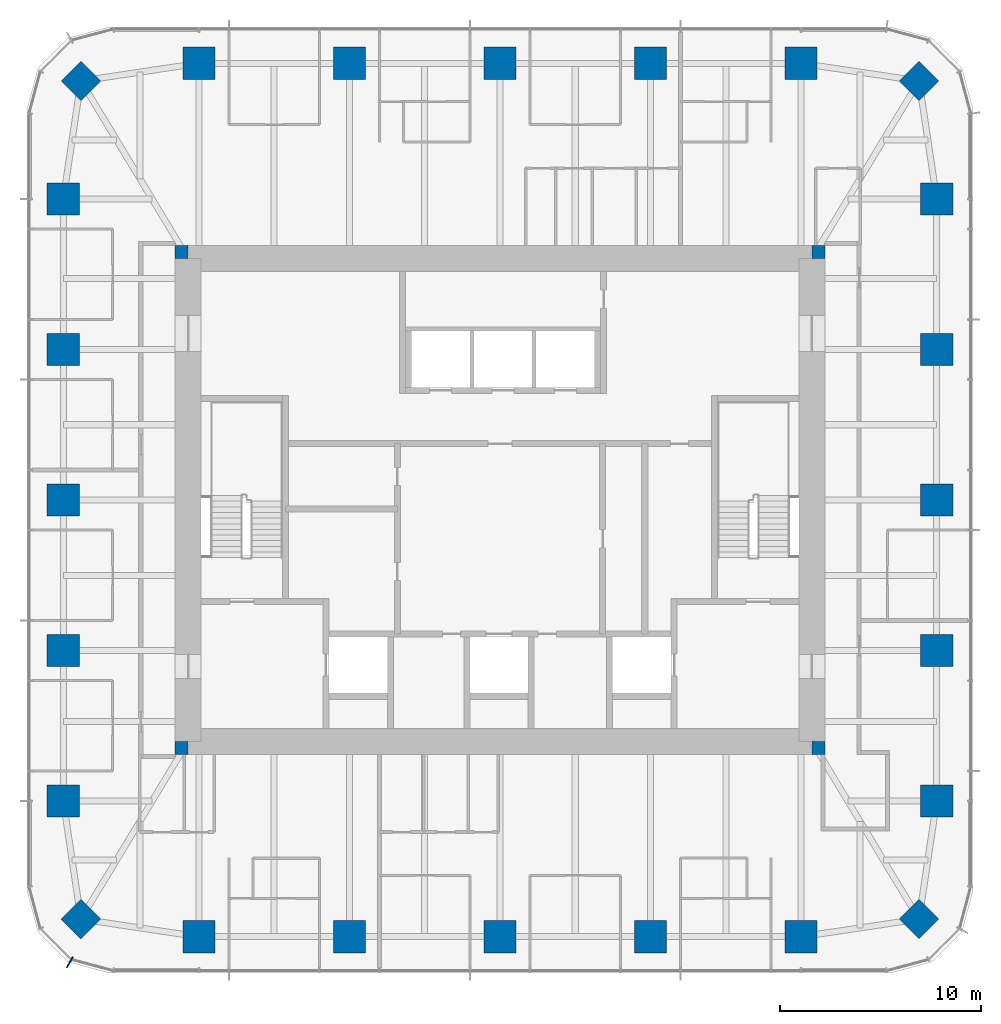
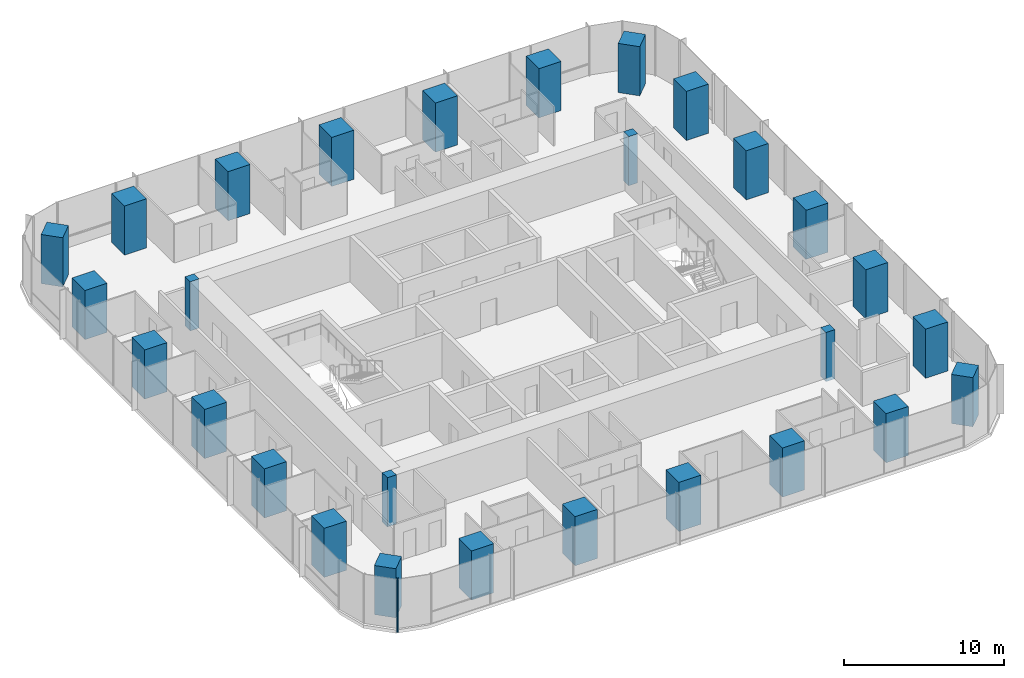
# One storey, part 1 of 12: 28 columns, 1 member, 1 element without a shape of its own.
"""IFC4 building model written with IfcOpenShell, lengths in metres."""

from ifc_helpers import new_model, si_unit, direction, frame, origin, origin_2d, place, context, subcontext, project, spatial, rectangle, extrude, material, material_profile, profile_set, type_object, element, aggregate, save


model = new_model("IFC4")

# Units and contexts
model_context = context("Model", 3, precision=1e-05, world=origin(), true_north=direction((0.0, 1.0)))
body_context = subcontext(model_context, "Body", "Model", "MODEL_VIEW")
ifc_project = project(units=[si_unit("LENGTHUNIT", "METRE"), si_unit("AREAUNIT", "SQUARE_METRE"), si_unit("VOLUMEUNIT", "CUBIC_METRE"), si_unit("PLANEANGLEUNIT", "RADIAN"), si_unit("MASSUNIT", "GRAM", prefix="KILO")], contexts=[model_context])

# Site, building, storey
site_placement = place(None, origin())
site = spatial("IfcSite", under=ifc_project, at=site_placement, CompositionType="ELEMENT")
building_placement = place(site_placement, origin())
building = spatial("IfcBuilding", under=site, at=building_placement, Name="Khuree Lantern Residences", CompositionType="ELEMENT")
storey_placement = place(building_placement, frame((0.0, 0.0, 315.75)))
storey = spatial("IfcBuildingStorey", under=building, at=storey_placement, Name="L79", CompositionType="ELEMENT", Elevation=315.75)

# Columns
ifc_material_1 = material(Name="Concrete C70/85", Category="concrete")
ifc_material_profile_1 = material_profile(ifc_material_1, rectangle(XDim=1.39990234375, YDim=1.39990234375, at=origin_2d()), Name="RC 1400X1400")
ifc_profile_set_1 = profile_set([ifc_material_profile_1], Name="Concrete C70/85")
column_type_1 = type_object("IfcColumnType", Name="CC1400 PERIMETER CORNER COLUMN RC 1400X1400", PredefinedType="COLUMN", material=ifc_profile_set_1)
for number, where, z_axis, x_axis, name in (
    (1, (20.8212890625, 20.8212890625, 0.0), (0.0, 0.0, 1.0), (0.707106781187, -0.707106781187, 0.0), "Perimeter column NE"),
    (2, (20.8212890625, -20.8212890625, 0.0), (0.0, 0.0, 1.0), (0.707106781187, 0.707106781187, 0.0), "Perimeter column SE"),
    (3, (-20.8212890625, -20.8212890625, 0.0), (0.0, 0.0, 1.0), (0.707106781187, -0.707106781187, 0.0), "Perimeter column SW"),
    (4, (-20.8212890625, 20.8212890625, 0.0), (0.0, 0.0, 1.0), (0.707106781187, 0.707106781187, 0.0), "Perimeter column NW"),
):
    element("IfcColumn", number, at=place(storey_placement, frame(where, z_axis=z_axis, x_axis=x_axis)), inside=storey, type_object=column_type_1, Name=name, PredefinedType="COLUMN", context=body_context, shape_type="SweptSolid", body=[
        extrude(rectangle(XDim=1.39990234375, YDim=1.39990234375, at=origin_2d()), origin(), (0.0, 0.0, 1.0), 3.75),
    ])
ifc_material_2 = material(Name="Concrete C50/60", Category="concrete")
ifc_material_profile_2 = material_profile(ifc_material_2, rectangle(XDim=0.64990234375, YDim=0.64990234375, at=origin_2d()), Name="RC 650X650")
ifc_profile_set_2 = profile_set([ifc_material_profile_2], Name="Concrete C50/60")
column_type_2 = type_object("IfcColumnType", Name="CP650-C50 CORE CORNER PIER C50 RC 650X650", PredefinedType="COLUMN", material=ifc_profile_set_2)
for number, where, z_axis, x_axis, name in (
    (5, (15.824951171875, 12.324951171875, -0.25), (0.0, 0.0, 1.0), (1.0, 0.0, 0.0), "Core corner pier NE"),
    (6, (-15.824951171875, 12.324951171875, -0.25), (0.0, 0.0, 1.0), (1.0, 0.0, 0.0), "Core corner pier NW"),
    (7, (-15.824951171875, -12.324951171875, -0.25), (0.0, 0.0, 1.0), (1.0, 0.0, 0.0), "Core corner pier SW"),
    (8, (15.824951171875, -12.324951171875, -0.25), (0.0, 0.0, 1.0), (1.0, 0.0, 0.0), "Core corner pier SE"),
):
    element("IfcColumn", number, at=place(storey_placement, frame(where, z_axis=z_axis, x_axis=x_axis)), inside=storey, type_object=column_type_2, Name=name, PredefinedType="COLUMN", context=body_context, shape_type="SweptSolid", body=[
        extrude(rectangle(XDim=0.64990234375, YDim=0.64990234375, at=origin_2d()), origin(), (0.0, 0.0, 1.0), 3.75),
    ])
ifc_material_profile_3 = material_profile(ifc_material_1, rectangle(XDim=1.60009765625, YDim=1.60009765625, at=origin_2d()), Name="RC 1600X1600")
ifc_profile_set_3 = profile_set([ifc_material_profile_3], Name="Concrete C70/85")
column_type_3 = type_object("IfcColumnType", Name="PC5 PERIMETER COLUMN RC 1600X1600", PredefinedType="COLUMN", material=ifc_profile_set_3)
for number, where, z_axis, x_axis, name in (
    (9, (-14.9599609375, 21.699951171875, 0.0), (0.0, 0.0, 1.0), (1.0, 0.0, 0.0), "Perimeter column N1"),
    (10, (-7.47998046875, 21.699951171875, 0.0), (0.0, 0.0, 1.0), (1.0, 0.0, 0.0), "Perimeter column N2"),
    (11, (0.0, 21.699951171875, 0.0), (0.0, 0.0, 1.0), (1.0, 0.0, 0.0), "Perimeter column N3"),
    (12, (7.47998046875, 21.699951171875, 0.0), (0.0, 0.0, 1.0), (1.0, 0.0, 0.0), "Perimeter column N4"),
    (13, (14.9599609375, 21.699951171875, 0.0), (0.0, 0.0, 1.0), (1.0, 0.0, 0.0), "Perimeter column N5"),
    (14, (21.699951171875, 14.9599609375, 0.0), (0.0, 0.0, 1.0), (0.0, 1.0, 0.0), "Perimeter column E1"),
    (15, (21.699951171875, 7.47998046875, 0.0), (0.0, 0.0, 1.0), (0.0, 1.0, 0.0), "Perimeter column E2"),
    (16, (21.699951171875, 0.0, 0.0), (0.0, 0.0, 1.0), (0.0, 1.0, 0.0), "Perimeter column E3"),
    (17, (21.699951171875, -7.47998046875, 0.0), (0.0, 0.0, 1.0), (0.0, 1.0, 0.0), "Perimeter column E4"),
    (18, (21.699951171875, -14.9599609375, 0.0), (0.0, 0.0, 1.0), (0.0, 1.0, 0.0), "Perimeter column E5"),
    (19, (14.9599609375, -21.699951171875, 0.0), (0.0, 0.0, 1.0), (1.0, 0.0, 0.0), "Perimeter column S1"),
    (20, (7.47998046875, -21.699951171875, 0.0), (0.0, 0.0, 1.0), (1.0, 0.0, 0.0), "Perimeter column S2"),
    (21, (0.0, -21.699951171875, 0.0), (0.0, 0.0, 1.0), (1.0, 0.0, 0.0), "Perimeter column S3"),
    (22, (-7.47998046875, -21.699951171875, 0.0), (0.0, 0.0, 1.0), (1.0, 0.0, 0.0), "Perimeter column S4"),
    (23, (-14.9599609375, -21.699951171875, 0.0), (0.0, 0.0, 1.0), (1.0, 0.0, 0.0), "Perimeter column S5"),
    (24, (-21.699951171875, -14.9599609375, 0.0), (0.0, 0.0, 1.0), (0.0, 1.0, 0.0), "Perimeter column W1"),
    (25, (-21.699951171875, -7.47998046875, 0.0), (0.0, 0.0, 1.0), (0.0, 1.0, 0.0), "Perimeter column W2"),
    (26, (-21.699951171875, 0.0, 0.0), (0.0, 0.0, 1.0), (0.0, 1.0, 0.0), "Perimeter column W3"),
    (27, (-21.699951171875, 7.47998046875, 0.0), (0.0, 0.0, 1.0), (0.0, 1.0, 0.0), "Perimeter column W4"),
    (28, (-21.699951171875, 14.9599609375, 0.0), (0.0, 0.0, 1.0), (0.0, 1.0, 0.0), "Perimeter column W5"),
):
    element("IfcColumn", number, at=place(storey_placement, frame(where, z_axis=z_axis, x_axis=x_axis)), inside=storey, type_object=column_type_3, Name=name, PredefinedType="COLUMN", context=body_context, shape_type="SweptSolid", body=[
        extrude(rectangle(XDim=1.60009765625, YDim=1.60009765625, at=origin_2d()), origin(), (0.0, 0.0, 1.0), 3.75),
    ])

# Curtain wall, member
ifc_material_3 = material(Name="Bronze anodised aluminium", Category="aluminium")
curtain_wall_type = type_object("IfcCurtainWallType", Name="CW-T2 TOWER CORNER CURTAIN WALL", PredefinedType="USERDEFINED", material=ifc_material_3)
curtain_wall_placement = place(storey_placement, origin())
curtain_wall = element("IfcCurtainWall", 29, at=curtain_wall_placement, inside=storey, type_object=curtain_wall_type, Name="L79 SOUTH-WEST CORNER CURTAIN WALL", ObjectType="Faceted corner curtain wall", PredefinedType="USERDEFINED")
ifc_material_profile_4 = material_profile(ifc_material_3, rectangle(XDim=0.06494140625, YDim=0.60009765625, at=origin_2d()), Name="F1 65X600")
ifc_profile_set_4 = profile_set([ifc_material_profile_4], Name="Bronze anodised aluminium")
member_type = type_object("IfcMemberType", Name="F1 BRONZE FIN MULLION TOWER 65X600", PredefinedType="MULLION", material=ifc_profile_set_4)
member_placement = place(storey_placement, frame((-21.375, -22.96728515625, 0.0), z_axis=(0.0, 0.0, 1.0), x_axis=(0.866025437565, -0.49999994149, 0.0)))
member = element("IfcMember", 30, at=member_placement, type_object=member_type, Name="L79 SOUTH-WEST CORNER FIN MULLION 45", PredefinedType="MULLION", context=body_context, shape_type="SweptSolid", body=[
    extrude(rectangle(XDim=0.06494140625, YDim=0.60009765625, at=origin_2d()), origin(), (0.0, 0.0, 1.0), 3.75),
])
aggregate(curtain_wall, [member])

save(model, "model.ifc")
